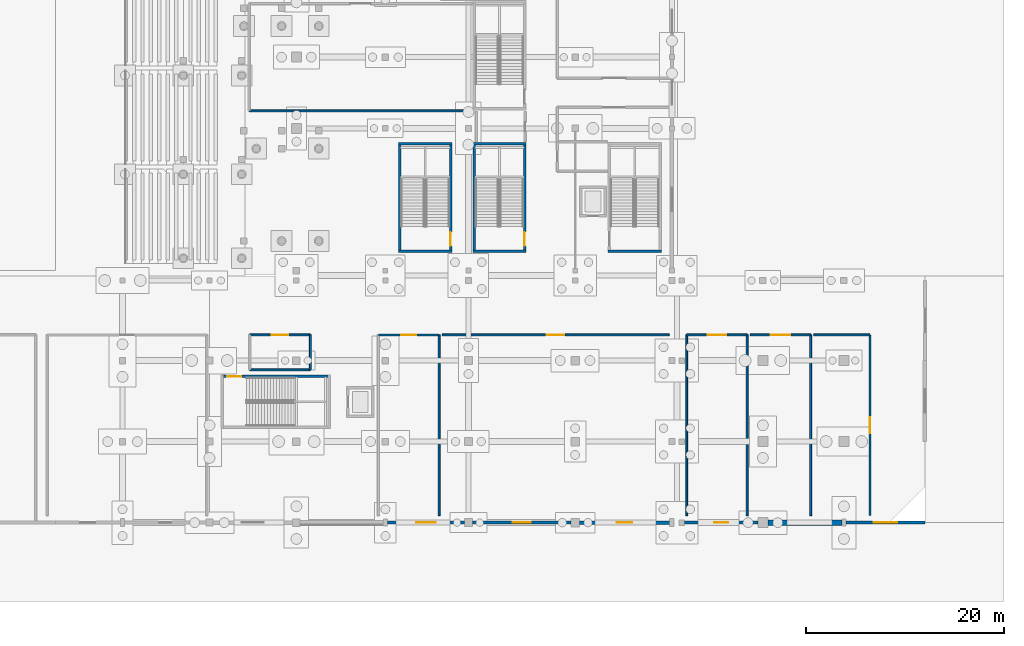
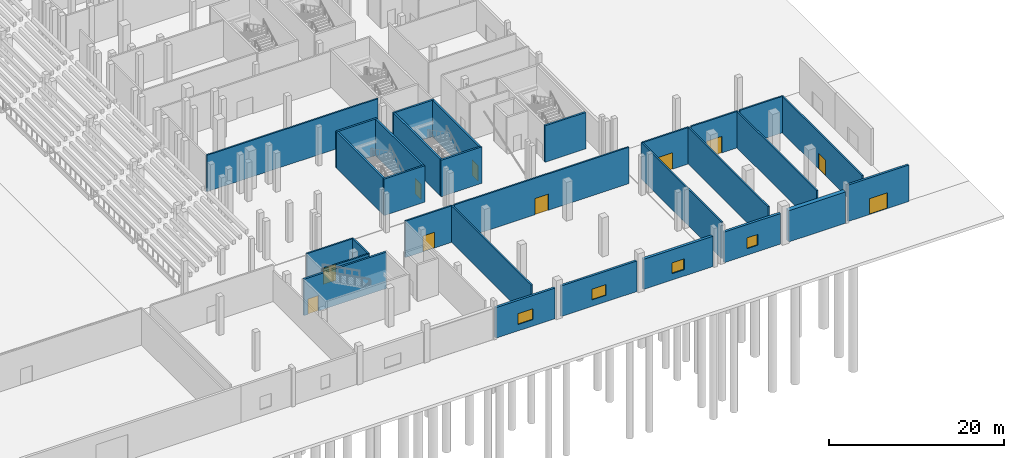
# One storey, part 41 of 89: 30 walls, 10 doors, 4 windows, 14 openings.
"""IFC4 building model written with IfcOpenShell, lengths in metres."""

import ifcopenshell
import ifcopenshell.guid

model = None  # the IFC model being written
_history = None  # IfcOwnerHistory: only IFC2X3 demands one
_inside = {}  # id of a spatial element -> (the spatial element, [elements in it])
_under = {}  # id of a project, library or spatial element -> (it, [spatial elements below it])
_declared = {}  # id of a project -> (the project, [libraries it declares])
_typed = {}  # id of a type object -> (the type object, [elements of that type])
_made_of = {}  # id of a material, layer set ... -> (it, [elements and type objects made of it])


def new_model(schema):
    """Start an empty IFC model of exactly this schema.

    Asked for "IFC4X3", IfcOpenShell would pick the latest addendum, in which some entities
    have other attributes; the version numbers below select the first issue.
    IFC2X3 requires an IfcOwnerHistory on every rooted entity: one is made here for all.
    """
    global model, _history
    if schema == "IFC4X3":
        model = ifcopenshell.file(schema_version=(4, 3, 0, 0))
    else:
        model = ifcopenshell.file(schema=schema)
    _inside.clear()
    _under.clear()
    _declared.clear()
    _typed.clear()
    _made_of.clear()
    _history = None
    if model.schema == "IFC2X3":
        org = make("IfcOrganization", Name="unknown")
        user = make(
            "IfcPersonAndOrganization",
            ThePerson=make("IfcPerson", FamilyName="unknown"),
            TheOrganization=org,
        )
        app = make(
            "IfcApplication",
            ApplicationDeveloper=org,
            Version="unknown",
            ApplicationFullName="unknown",
            ApplicationIdentifier="unknown",
        )
        _history = make(
            "IfcOwnerHistory",
            OwningUser=user,
            OwningApplication=app,
            ChangeAction="ADDED",
            CreationDate=0,
        )
    return model


def make(cls, **values):
    """One entity of the class cls with the attributes given. An attribute that is None is left unset."""
    return model.create_entity(
        cls, **{name: value for name, value in values.items() if value is not None}
    )


def rooted(cls, **values):
    """An entity with a GlobalId (a new one), such as an element, a storey or a relation."""
    return make(cls, GlobalId=ifcopenshell.guid.new(), OwnerHistory=_history, **values)


def si_unit(unit_type, name, prefix=None):
    """IfcSIUnit, for example si_unit("LENGTHUNIT", "METRE", prefix="MILLI")."""
    return make("IfcSIUnit", UnitType=unit_type, Prefix=prefix, Name=name)


def assignment(units):
    """IfcUnitAssignment: the units of a project."""
    return None if units is None else make("IfcUnitAssignment", Units=units)


def point(xyz):
    """IfcCartesianPoint."""
    return None if xyz is None else make("IfcCartesianPoint", Coordinates=xyz)


def direction(xyz):
    """IfcDirection."""
    return None if xyz is None else make("IfcDirection", DirectionRatios=xyz)


def frame(location, z_axis=None, x_axis=None):
    """IfcAxis2Placement3D, a coordinate frame: its origin and axes. An axis left out is left unset."""
    return make(
        "IfcAxis2Placement3D",
        Location=point(location),
        Axis=direction(z_axis),
        RefDirection=direction(x_axis),
    )


def frame_2d(location, x_axis=None):
    """IfcAxis2Placement2D, a coordinate frame in the plane: its origin and x axis."""
    return make(
        "IfcAxis2Placement2D", Location=point(location), RefDirection=direction(x_axis)
    )


def origin():
    """The frame at (0, 0, 0) with its axes left unset."""
    return frame((0.0, 0.0, 0.0))


def place(relative_to, where):
    """IfcLocalPlacement: puts the frame where relative to a parent placement (None: the world)."""
    return make(
        "IfcLocalPlacement", PlacementRelTo=relative_to, RelativePlacement=where
    )


def context(
    kind, dimensions, precision=None, world=None, true_north=None, identifier=None
):
    """IfcGeometricRepresentationContext, for example the 3D "Model" context."""
    return make(
        "IfcGeometricRepresentationContext",
        ContextIdentifier=identifier,
        ContextType=kind,
        CoordinateSpaceDimension=dimensions,
        Precision=precision,
        WorldCoordinateSystem=world,
        TrueNorth=true_north,
    )


def subcontext(parent, identifier, kind, view, scale=None):
    """IfcGeometricRepresentationSubContext, for example "Body" below "Model"."""
    return make(
        "IfcGeometricRepresentationSubContext",
        ContextIdentifier=identifier,
        ContextType=kind,
        ParentContext=parent,
        TargetScale=scale,
        TargetView=view,
    )


def project(units=None, contexts=None):
    """IfcProject with its units and contexts."""
    return rooted(
        "IfcProject",
        Name="project",
        RepresentationContexts=contexts,
        UnitsInContext=assignment(units),
    )


def spatial(cls, under=None, at=None, **own):
    """A site, building, storey or space (cls), placed at a placement, below another one or the project."""
    s = rooted(cls, ObjectPlacement=at, **own)
    if under is not None:
        _under.setdefault(under.id(), (under, []))[1].append(s)
    return s


def profile(cls, at=None, kind="AREA", **sizes):
    """A parametric profile (cls). Its sizes go by their IFC names, for example OverallWidth=200.0."""
    return make(cls, ProfileType=kind, Position=at, **sizes)


def rectangle(**sizes):
    """IfcRectangleProfileDef."""
    return profile("IfcRectangleProfileDef", **sizes)


def extrude(swept, where, along, depth):
    """IfcExtrudedAreaSolid: the profile swept, set in the frame where, extruded along a direction by depth."""
    return make(
        "IfcExtrudedAreaSolid",
        SweptArea=swept,
        Position=where,
        ExtrudedDirection=direction(along),
        Depth=depth,
    )


def shape(context_of_items, identifier, shape_type, items):
    """IfcShapeRepresentation: the items that make up one representation, for example the "Body"."""
    return make(
        "IfcShapeRepresentation",
        ContextOfItems=context_of_items,
        RepresentationIdentifier=identifier,
        RepresentationType=shape_type,
        Items=items,
    )


def material(Name=None, Category=None):
    """IfcMaterial."""
    return make("IfcMaterial", Name=Name, Category=Category)


def layer(
    of_material, thickness, ventilated=None, Name=None, Category=None, Priority=None
):
    """IfcMaterialLayer: one layer of a wall or slab, of a material (None: an air gap)."""
    return make(
        "IfcMaterialLayer",
        Material=of_material,
        LayerThickness=thickness,
        IsVentilated=ventilated,
        Name=Name,
        Category=Category,
        Priority=Priority,
    )


def layer_set(layers, Name=None):
    """IfcMaterialLayerSet."""
    return make("IfcMaterialLayerSet", MaterialLayers=layers, LayerSetName=Name)


def made_of(thing, what):
    """Note that an element or type object is made of a material, layer set ...; save() writes the relation."""
    if what is not None:
        _made_of.setdefault(what.id(), (what, []))[1].append(thing)
    return thing


def type_object(cls, material=None, **own):
    """A type object (cls), such as IfcWallType, which elements share."""
    return made_of(rooted(cls, **own), material)


def element(
    cls,
    number,
    at=None,
    inside=None,
    cuts=None,
    type_object=None,
    material=None,
    context=None,
    identifier="Body",
    shape_type=None,
    held_by="IfcProductDefinitionShape",
    body=None,
    shapes=None,
    **own,
):
    """One element of the class cls, such as IfcWall. Its Tag is "e" and its number.

    at: its placement. inside: the storey or other place that contains it. cuts: it is an
    opening in that element (IfcRelVoidsElement). A single representation is given by context,
    identifier, shape_type and body (its items); several are given by shapes. held_by: the class
    of the entity that holds the representations. save() writes the other relations.
    """
    e = rooted(cls, Tag="e%d" % number, ObjectPlacement=at, **own)
    if body is not None:
        shapes = [shape(context, identifier, shape_type, body)]
    if shapes is not None:
        e.Representation = make(held_by, Representations=shapes)
    if inside is not None:
        _inside.setdefault(inside.id(), (inside, []))[1].append(e)
    if cuts is not None:
        rooted(
            "IfcRelVoidsElement", RelatingBuildingElement=cuts, RelatedOpeningElement=e
        )
    if type_object is not None:
        _typed.setdefault(type_object.id(), (type_object, []))[1].append(e)
    return made_of(e, material)


def fill(opening, filler):
    """IfcRelFillsElement: the door or window that sits in an opening."""
    return rooted(
        "IfcRelFillsElement",
        RelatingOpeningElement=opening,
        RelatedBuildingElement=filler,
    )


def aggregate(whole, parts):
    """IfcRelAggregates: a whole, such as a stair, and the parts it consists of."""
    return rooted("IfcRelAggregates", RelatingObject=whole, RelatedObjects=parts)


def save(model, path):
    """Write the relations noted so far, then the file.

    IfcRelAggregates (storeys below a building ...), IfcRelContainedInSpatialStructure (elements
    in a storey), IfcRelDefinesByType, IfcRelAssociatesMaterial and IfcRelDeclares: one each for
    every whole, place, type object, material and project.
    """
    for whole, parts in _under.values():
        aggregate(whole, parts)
    for where, things in _inside.values():
        rooted(
            "IfcRelContainedInSpatialStructure",
            RelatedElements=things,
            RelatingStructure=where,
        )
    for kind, things in _typed.values():
        rooted("IfcRelDefinesByType", RelatedObjects=things, RelatingType=kind)
    for what, things in _made_of.values():
        rooted("IfcRelAssociatesMaterial", RelatedObjects=things, RelatingMaterial=what)
    for by, libraries in _declared.values():
        rooted("IfcRelDeclares", RelatingContext=by, RelatedDefinitions=libraries)
    model.write(path)


model = new_model("IFC4")

# Units and contexts
model_context = context("Model", 3, precision=1e-05, world=origin(), true_north=direction((0.0, 1.0)))
body_context = subcontext(model_context, "Body", "Model", "MODEL_VIEW")
ifc_project = project(units=[si_unit("LENGTHUNIT", "METRE"), si_unit("AREAUNIT", "SQUARE_METRE"), si_unit("VOLUMEUNIT", "CUBIC_METRE"), si_unit("PLANEANGLEUNIT", "RADIAN"), si_unit("MASSUNIT", "GRAM", prefix="KILO")], contexts=[model_context])

# Site, building, storey
site_placement = place(None, origin())
site = spatial("IfcSite", under=ifc_project, at=site_placement, CompositionType="ELEMENT")
building_placement = place(site_placement, origin())
building = spatial("IfcBuilding", under=site, at=building_placement, Name="Koshinbarg Plaza Stadium", CompositionType="ELEMENT")
storey_placement = place(building_placement, origin())
storey = spatial("IfcBuildingStorey", under=building, at=storey_placement, Name="L00", CompositionType="ELEMENT", Elevation=0.0)

# Wall
ifc_material_1 = material(Name="Concrete C40/50", Category="concrete")
ifc_layer_1 = layer(ifc_material_1, 0.25)
ifc_layer_set_1 = layer_set([ifc_layer_1], Name="Concrete C40/50")
wall_type_1 = type_object("IfcWallType", Name="WL-CORE-250", PredefinedType="SHEAR", material=ifc_layer_set_1)
wall_1_placement = place(storey_placement, frame((211.949951171875, 27.47509765625, 0.0), z_axis=(0.0, 0.0, 1.0), x_axis=(1.0, 0.0, 0.0)))
element("IfcWall", 1, at=wall_1_placement, inside=storey, type_object=wall_type_1, Name="L00 core stair shear wall C07-near IWL-L00-0162", PredefinedType="SHEAR", context=body_context, shape_type="SweptSolid", body=[
    extrude(rectangle(XDim=5.3701171875, YDim=0.25, at=frame_2d((2.68505859375, 0.0))), origin(), (0.0, 0.0, 1.0), 5.080078125),
])

# Wall, opening, door
wall_2_placement = place(storey_placement, frame((172.875, 14.794921875, 0.0), z_axis=(0.0, 0.0, 1.0), x_axis=(1.0, 0.0, 0.0)))
wall_2 = element("IfcWall", 2, at=wall_2_placement, inside=storey, type_object=wall_type_1, Name="L00 core stair shear wall C14-left IWL-L00-0312", PredefinedType="SHEAR", context=body_context, shape_type="SweptSolid", body=[
    extrude(rectangle(XDim=10.85009765625, YDim=0.25, at=frame_2d((5.425048828125, 0.0))), origin(), (0.0, 0.0, 1.0), 5.080078125),
])
opening_1_placement = place(wall_2_placement, frame((0.52001953125, 0.0, 0.0)))
opening_1 = element("IfcOpeningElement", 3, at=opening_1_placement, cuts=wall_2, Name="Opening D-0140", PredefinedType="OPENING", context=body_context, shape_type="SweptSolid", body=[
    extrude(rectangle(XDim=1.39990234375, YDim=2.14990234375, at=frame_2d((0.699951171875, 1.074951171875))), frame((0.0, 0.135009765625, 0.0), z_axis=(0.0, -1.0, 0.0), x_axis=(1.0, 0.0, 0.0)), (0.0, 0.0, 1.0), 0.27001953125),
])
ifc_material_2 = material(Name="Painted galvanized steel fire door", Category="steel")
door_type_1 = type_object("IfcDoorType", Name="DR-STAIR-1400", OperationType="NOTDEFINED", PredefinedType="DOOR", material=ifc_material_2)
door_1_placement = place(opening_1_placement, origin())
door_1 = element("IfcDoor", 4, at=door_1_placement, inside=storey, type_object=door_type_1, Name="L00 exit stair door C14", OperationType="SINGLE_SWING_LEFT", OverallHeight=2.14990234375, OverallWidth=1.39990234375, PredefinedType="DOOR", context=body_context, shape_type="SweptSolid", body=[
    extrude(rectangle(XDim=1.39990234375, YDim=2.14990234375, at=frame_2d((0.699951171875, 1.074951171875))), frame((0.0, 0.02490234375, 0.0), z_axis=(0.0, -1.0, 0.0), x_axis=(1.0, 0.0, 0.0)), (0.0, 0.0, 1.0), 0.050048828125),
])
fill(opening_1, door_1)

# Walls
for number, where, z_axis, x_axis, name in (
    (5, (198.25, 27.47509765625, 0.0), (0.0, 0.0, 1.0), (1.0, 0.0, 0.0), "L00 vomitory stair shear wall VX07-near IWL-L00-0450"),
    (6, (203.6201171875, 38.324951171875, 0.0), (0.0, 0.0, 1.0), (-1.0, 0.0, 0.0), "L00 vomitory stair shear wall VX07-far IWL-L00-0451"),
):
    element("IfcWall", number, at=place(storey_placement, frame(where, z_axis=z_axis, x_axis=x_axis)), inside=storey, type_object=wall_type_1, Name=name, PredefinedType="SHEAR", context=body_context, shape_type="SweptSolid", body=[
        extrude(rectangle(XDim=5.3701171875, YDim=0.25, at=frame_2d((2.68505859375, 0.0))), origin(), (0.0, 0.0, 1.0), 5.080078125),
    ])
wall_3_placement = place(storey_placement, frame((198.375, 27.47509765625, 0.0), z_axis=(0.0, 0.0, 1.0), x_axis=(0.0, 1.0, 0.0)))
element("IfcWall", 7, at=wall_3_placement, inside=storey, type_object=wall_type_1, Name="L00 vomitory stair shear wall VX07-left IWL-L00-0452", PredefinedType="SHEAR", context=body_context, shape_type="SweptSolid", body=[
    extrude(rectangle(XDim=10.849853515625, YDim=0.25, at=frame_2d((5.4248046875, 0.0))), origin(), (0.0, 0.0, 1.0), 5.080078125),
])

# Wall, opening, door
wall_4_placement = place(storey_placement, frame((203.4951171875, 27.47509765625, 0.0), z_axis=(0.0, 0.0, 1.0), x_axis=(0.0, 1.0, 0.0)))
wall_4 = element("IfcWall", 8, at=wall_4_placement, inside=storey, type_object=wall_type_1, Name="L00 vomitory stair shear wall VX07-right IWL-L00-0453", PredefinedType="SHEAR", context=body_context, shape_type="SweptSolid", body=[
    extrude(rectangle(XDim=10.849853515625, YDim=0.25, at=frame_2d((5.4248046875, 0.0))), origin(), (0.0, 0.0, 1.0), 5.080078125),
])
opening_2_placement = place(wall_4_placement, frame((0.52001953125, 0.0, 0.0)))
opening_2 = element("IfcOpeningElement", 9, at=opening_2_placement, cuts=wall_4, Name="Opening D-0175", PredefinedType="OPENING", context=body_context, shape_type="SweptSolid", body=[
    extrude(rectangle(XDim=1.39990234375, YDim=2.14990234375, at=frame_2d((0.699951171875, 1.074951171875))), frame((0.0, 0.135009765625, 0.0), z_axis=(0.0, -1.0, 0.0), x_axis=(1.0, 0.0, 0.0)), (0.0, 0.0, 1.0), 0.27001953125),
])
door_2_placement = place(opening_2_placement, frame((1.39990234375, 0.0, 0.0), z_axis=(0.0, 0.0, 1.0), x_axis=(-1.0, 0.0, 0.0)))
door_2 = element("IfcDoor", 10, at=door_2_placement, inside=storey, type_object=door_type_1, Name="L00 vomitory exit stair door VX07", OperationType="SINGLE_SWING_RIGHT", OverallHeight=2.14990234375, OverallWidth=1.39990234375, PredefinedType="DOOR", context=body_context, shape_type="SweptSolid", body=[
    extrude(rectangle(XDim=1.39990234375, YDim=2.14990234375, at=frame_2d((0.699951171875, 1.074951171875))), frame((0.0, 0.02490234375, 0.0), z_axis=(0.0, -1.0, 0.0), x_axis=(1.0, 0.0, 0.0)), (0.0, 0.0, 1.0), 0.050048828125),
])
fill(opening_2, door_2)

# Walls
for number, where, z_axis, x_axis, name in (
    (11, (190.75, 27.47509765625, 0.0), (0.0, 0.0, 1.0), (1.0, 0.0, 0.0), "L00 vomitory stair shear wall VL05-near IWL-L00-0578"),
    (12, (196.1201171875, 38.324951171875, 0.0), (0.0, 0.0, 1.0), (-1.0, 0.0, 0.0), "L00 vomitory stair shear wall VL05-far IWL-L00-0579"),
):
    element("IfcWall", number, at=place(storey_placement, frame(where, z_axis=z_axis, x_axis=x_axis)), inside=storey, type_object=wall_type_1, Name=name, PredefinedType="SHEAR", context=body_context, shape_type="SweptSolid", body=[
        extrude(rectangle(XDim=5.3701171875, YDim=0.25, at=frame_2d((2.68505859375, 0.0))), origin(), (0.0, 0.0, 1.0), 5.080078125),
    ])
wall_5_placement = place(storey_placement, frame((190.875, 27.47509765625, 0.0), z_axis=(0.0, 0.0, 1.0), x_axis=(0.0, 1.0, 0.0)))
element("IfcWall", 13, at=wall_5_placement, inside=storey, type_object=wall_type_1, Name="L00 vomitory stair shear wall VL05-left IWL-L00-0580", PredefinedType="SHEAR", context=body_context, shape_type="SweptSolid", body=[
    extrude(rectangle(XDim=10.849853515625, YDim=0.25, at=frame_2d((5.4248046875, 0.0))), origin(), (0.0, 0.0, 1.0), 5.080078125),
])

# Wall, opening, door
wall_6_placement = place(storey_placement, frame((195.9951171875, 27.47509765625, 0.0), z_axis=(0.0, 0.0, 1.0), x_axis=(0.0, 1.0, 0.0)))
wall_6 = element("IfcWall", 14, at=wall_6_placement, inside=storey, type_object=wall_type_1, Name="L00 vomitory stair shear wall VL05-right IWL-L00-0581", PredefinedType="SHEAR", context=body_context, shape_type="SweptSolid", body=[
    extrude(rectangle(XDim=10.849853515625, YDim=0.25, at=frame_2d((5.4248046875, 0.0))), origin(), (0.0, 0.0, 1.0), 5.080078125),
])
opening_3_placement = place(wall_6_placement, frame((0.52001953125, 0.0, 0.0)))
opening_3 = element("IfcOpeningElement", 15, at=opening_3_placement, cuts=wall_6, Name="Opening D-0207", PredefinedType="OPENING", context=body_context, shape_type="SweptSolid", body=[
    extrude(rectangle(XDim=1.39990234375, YDim=2.14990234375, at=frame_2d((0.699951171875, 1.074951171875))), frame((0.0, 0.135009765625, 0.0), z_axis=(0.0, -1.0, 0.0), x_axis=(1.0, 0.0, 0.0)), (0.0, 0.0, 1.0), 0.27001953125),
])
door_3_placement = place(opening_3_placement, frame((1.39990234375, 0.0, 0.0), z_axis=(0.0, 0.0, 1.0), x_axis=(-1.0, 0.0, 0.0)))
door_3 = element("IfcDoor", 16, at=door_3_placement, inside=storey, type_object=door_type_1, Name="L00 vomitory exit stair door VL05", OperationType="SINGLE_SWING_RIGHT", OverallHeight=2.14990234375, OverallWidth=1.39990234375, PredefinedType="DOOR", context=body_context, shape_type="SweptSolid", body=[
    extrude(rectangle(XDim=1.39990234375, YDim=2.14990234375, at=frame_2d((0.699951171875, 1.074951171875))), frame((0.0, 0.02490234375, 0.0), z_axis=(0.0, -1.0, 0.0), x_axis=(1.0, 0.0, 0.0)), (0.0, 0.0, 1.0), 0.050048828125),
])
fill(opening_3, door_3)

ifc_material_3 = material(Name="Terracotta-ochre mineral plaster insulated wall", Category="masonry")
ifc_layer_2 = layer(ifc_material_3, 0.280029296875)
ifc_layer_set_2 = layer_set([ifc_layer_2], Name="Terracotta-ochre mineral plaster insulated wall")
wall_type_2 = type_object("IfcWallType", Name="WL-EXT-280", PredefinedType="SOLIDWALL", material=ifc_layer_set_2)
wall_7_placement = place(storey_placement, frame((244.0, 0.0, 0.0), z_axis=(0.0, 0.0, 1.0), x_axis=(-1.0, 0.0, 0.0)))
wall_7 = element("IfcWall", 17, at=wall_7_placement, inside=storey, type_object=wall_type_2, Name="L00 exterior envelope wall EWL-L00-0052", PredefinedType="SOLIDWALL", context=body_context, shape_type="SweptSolid", body=[
    extrude(rectangle(XDim=8.0048828125, YDim=0.280029296875, at=frame_2d((4.00244140625, 0.0))), origin(), (0.0, 0.0, 1.0), 5.080078125),
])
opening_4_placement = place(wall_7_placement, frame((2.802490234375, 0.0, 0.0)))
opening_4 = element("IfcOpeningElement", 18, at=opening_4_placement, cuts=wall_7, Name="Opening D-0053", PredefinedType="OPENING", context=body_context, shape_type="SweptSolid", body=[
    extrude(rectangle(XDim=2.39990234375, YDim=2.199951171875, at=frame_2d((1.199951171875, 1.10009765625))), frame((0.0, 0.14990234375, 0.0), z_axis=(0.0, -1.0, 0.0), x_axis=(1.0, 0.0, 0.0)), (0.0, 0.0, 1.0), 0.300048828125),
])
ifc_material_4 = material(Name="Anodised aluminium thermally broken exit door", Category="aluminium")
door_type_2 = type_object("IfcDoorType", Name="DR-EXIT-2400", OperationType="NOTDEFINED", PredefinedType="DOOR", material=ifc_material_4)
door_4_placement = place(opening_4_placement, origin())
door_4 = element("IfcDoor", 19, at=door_4_placement, inside=storey, type_object=door_type_2, Name="Main exit E52", OperationType="DOUBLE_DOOR_SINGLE_SWING", OverallHeight=2.199951171875, OverallWidth=2.39990234375, PredefinedType="DOOR", context=body_context, shape_type="SweptSolid", body=[
    extrude(rectangle(XDim=2.39990234375, YDim=2.199951171875, at=frame_2d((1.199951171875, 1.10009765625))), frame((0.0, 0.02490234375, 0.0), z_axis=(0.0, -1.0, 0.0), x_axis=(1.0, 0.0, 0.0)), (0.0, 0.0, 1.0), 0.050048828125),
])
fill(opening_4, door_4)

# Wall, opening, window
wall_8_placement = place(storey_placement, frame((208.179931640625, 0.0, 0.0), z_axis=(0.0, 0.0, 1.0), x_axis=(-1.0, 0.0, 0.0)))
wall_8 = element("IfcWall", 20, at=wall_8_placement, inside=storey, type_object=wall_type_2, Name="L00 exterior envelope wall EWL-L00-0056", PredefinedType="SOLIDWALL", context=body_context, shape_type="SweptSolid", body=[
    extrude(rectangle(XDim=9.98486328125, YDim=0.280029296875, at=frame_2d((4.992431640625, 0.0))), origin(), (0.0, 0.0, 1.0), 4.260009765625),
])
opening_5_placement = place(wall_8_placement, frame((4.092529296875, 0.0, 0.89990234375)))
opening_5 = element("IfcOpeningElement", 21, at=opening_5_placement, cuts=wall_8, Name="Opening WN04", PredefinedType="OPENING", context=body_context, shape_type="SweptSolid", body=[
    extrude(rectangle(XDim=1.800048828125, YDim=1.5, at=frame_2d((0.89990234375, 0.75))), frame((0.0, 0.14990234375, 0.0), z_axis=(0.0, -1.0, 0.0), x_axis=(1.0, 0.0, 0.0)), (0.0, 0.0, 1.0), 0.300048828125),
])
ifc_material_5 = material(Name="Solar-control double glazing in thermally broken aluminium frame", Category="aluminium")
window_type_1 = type_object("IfcWindowType", Name="WN-FAC-04", PartitioningType="DOUBLE_PANEL_VERTICAL", PredefinedType="WINDOW", material=ifc_material_5)
window_1_placement = place(opening_5_placement, origin())
window_1 = element("IfcWindow", 22, at=window_1_placement, inside=storey, type_object=window_type_1, Name="L00 facade window 0003", OverallHeight=1.5, OverallWidth=1.800048828125, PartitioningType="SINGLE_PANEL", PredefinedType="WINDOW", context=body_context, shape_type="SweptSolid", body=[
    extrude(rectangle(XDim=1.800048828125, YDim=1.5, at=frame_2d((0.89990234375, 0.75))), frame((0.0, 0.030029296875, 0.0), z_axis=(0.0, -1.0, 0.0), x_axis=(1.0, 0.0, 0.0)), (0.0, 0.0, 1.0), 0.06005859375),
])
fill(opening_5, window_1)

ifc_material_6 = material(Name="Off-white mineral plaster insulated wall", Category="masonry")
ifc_layer_3 = layer(ifc_material_6, 0.300048828125)
ifc_layer_set_3 = layer_set([ifc_layer_3], Name="Off-white mineral plaster insulated wall")
wall_type_3 = type_object("IfcWallType", Name="WL-EXT-300", PredefinedType="SOLIDWALL", material=ifc_layer_set_3)
wall_9_placement = place(storey_placement, frame((197.405029296875, 0.0, 0.0), z_axis=(0.0, 0.0, 1.0), x_axis=(-1.0, 0.0, 0.0)))
wall_9 = element("IfcWall", 23, at=wall_9_placement, inside=storey, type_object=wall_type_3, Name="L00 exterior envelope wall EWL-L00-0057", PredefinedType="SOLIDWALL", context=body_context, shape_type="SweptSolid", body=[
    extrude(rectangle(XDim=7.81005859375, YDim=0.300048828125, at=frame_2d((3.905029296875, 0.0))), origin(), (0.0, 0.0, 1.0), 4.260009765625),
])
opening_6_placement = place(wall_9_placement, frame((2.905029296875, 0.0, 0.89990234375)))
opening_6 = element("IfcOpeningElement", 24, at=opening_6_placement, cuts=wall_9, Name="Opening WN05", PredefinedType="OPENING", context=body_context, shape_type="SweptSolid", body=[
    extrude(rectangle(XDim=2.0, YDim=1.5, at=frame_2d((1.0, 0.75))), frame((0.0, 0.159912109375, 0.0), z_axis=(0.0, -1.0, 0.0), x_axis=(1.0, 0.0, 0.0)), (0.0, 0.0, 1.0), 0.320068359375),
])
window_type_2 = type_object("IfcWindowType", Name="WN-FAC-05", PartitioningType="DOUBLE_PANEL_VERTICAL", PredefinedType="WINDOW", material=ifc_material_5)
window_2_placement = place(opening_6_placement, origin())
window_2 = element("IfcWindow", 25, at=window_2_placement, inside=storey, type_object=window_type_2, Name="L00 facade window 0004", OverallHeight=1.5, OverallWidth=2.0, PartitioningType="SINGLE_PANEL", PredefinedType="WINDOW", context=body_context, shape_type="SweptSolid", body=[
    extrude(rectangle(XDim=2.0, YDim=1.5, at=frame_2d((1.0, 0.75))), frame((0.0, 0.030029296875, 0.0), z_axis=(0.0, -1.0, 0.0), x_axis=(1.0, 0.0, 0.0)), (0.0, 0.0, 1.0), 0.06005859375),
])
fill(opening_6, window_2)

ifc_material_7 = material(Name="Ultramarine-blue pigmented mineral plaster facade wall", Category="masonry")
ifc_layer_4 = layer(ifc_material_7, 0.320068359375)
ifc_layer_set_4 = layer_set([ifc_layer_4], Name="Ultramarine-blue pigmented mineral plaster facade wall")
wall_type_4 = type_object("IfcWallType", Name="WL-EXT-320", PredefinedType="SOLIDWALL", material=ifc_layer_set_4)
wall_10_placement = place(storey_placement, frame((227.10498046875, 0.0, 0.0), z_axis=(0.0, 0.0, 1.0), x_axis=(-1.0, 0.0, 0.0)))
wall_10 = element("IfcWall", 26, at=wall_10_placement, inside=storey, type_object=wall_type_4, Name="L00 exterior envelope wall EWL-L00-0054", PredefinedType="SOLIDWALL", context=body_context, shape_type="SweptSolid", body=[
    extrude(rectangle(XDim=7.43505859375, YDim=0.320068359375, at=frame_2d((3.717529296875, 0.0))), origin(), (0.0, 0.0, 1.0), 4.260009765625),
])
opening_7_placement = place(wall_10_placement, frame((3.017578125, 0.0, 0.89990234375)))
opening_7 = element("IfcOpeningElement", 27, at=opening_7_placement, cuts=wall_10, Name="Opening WN02", PredefinedType="OPENING", context=body_context, shape_type="SweptSolid", body=[
    extrude(rectangle(XDim=1.39990234375, YDim=1.5, at=frame_2d((0.699951171875, 0.75))), frame((0.0, 0.169921875, 0.0), z_axis=(0.0, -1.0, 0.0), x_axis=(1.0, 0.0, 0.0)), (0.0, 0.0, 1.0), 0.340087890625),
])
window_type_3 = type_object("IfcWindowType", Name="WN-FAC-02", PartitioningType="DOUBLE_PANEL_VERTICAL", PredefinedType="WINDOW", material=ifc_material_5)
window_3_placement = place(opening_7_placement, origin())
window_3 = element("IfcWindow", 28, at=window_3_placement, inside=storey, type_object=window_type_3, Name="L00 facade window 0001", OverallHeight=1.5, OverallWidth=1.39990234375, PartitioningType="SINGLE_PANEL", PredefinedType="WINDOW", context=body_context, shape_type="SweptSolid", body=[
    extrude(rectangle(XDim=1.39990234375, YDim=1.5, at=frame_2d((0.699951171875, 0.75))), frame((0.0, 0.030029296875, 0.0), z_axis=(0.0, -1.0, 0.0), x_axis=(1.0, 0.0, 0.0)), (0.0, 0.0, 1.0), 0.06005859375),
])
fill(opening_7, window_3)

ifc_material_8 = material(Name="Acoustic insulated masonry stadium wall", Category="masonry")
ifc_layer_5 = layer(ifc_material_8, 0.35009765625)
ifc_layer_set_5 = layer_set([ifc_layer_5], Name="Acoustic insulated masonry stadium wall")
wall_type_5 = type_object("IfcWallType", Name="WL-EXT-350", PredefinedType="SOLIDWALL", material=ifc_layer_set_5)
wall_11_placement = place(storey_placement, frame((218.179931640625, 0.0, 0.0), z_axis=(0.0, 0.0, 1.0), x_axis=(-1.0, 0.0, 0.0)))
wall_11 = element("IfcWall", 29, at=wall_11_placement, inside=storey, type_object=wall_type_5, Name="L00 exterior envelope wall EWL-L00-0055", PredefinedType="SOLIDWALL", context=body_context, shape_type="SweptSolid", body=[
    extrude(rectangle(XDim=9.159912109375, YDim=0.35009765625, at=frame_2d((4.580078125, 0.0))), origin(), (0.0, 0.0, 1.0), 4.2099609375),
])
opening_8_placement = place(wall_11_placement, frame((3.780029296875, 0.0, 0.89990234375)))
opening_8 = element("IfcOpeningElement", 30, at=opening_8_placement, cuts=wall_11, Name="Opening WN03", PredefinedType="OPENING", context=body_context, shape_type="SweptSolid", body=[
    extrude(rectangle(XDim=1.60009765625, YDim=1.5, at=frame_2d((0.800048828125, 0.75))), frame((0.0, 0.18505859375, 0.0), z_axis=(0.0, -1.0, 0.0), x_axis=(1.0, 0.0, 0.0)), (0.0, 0.0, 1.0), 0.3701171875),
])
window_type_4 = type_object("IfcWindowType", Name="WN-FAC-03", PartitioningType="DOUBLE_PANEL_VERTICAL", PredefinedType="WINDOW", material=ifc_material_5)
window_4_placement = place(opening_8_placement, origin())
window_4 = element("IfcWindow", 31, at=window_4_placement, inside=storey, type_object=window_type_4, Name="L00 facade window 0002", OverallHeight=1.5, OverallWidth=1.60009765625, PartitioningType="SINGLE_PANEL", PredefinedType="WINDOW", context=body_context, shape_type="SweptSolid", body=[
    extrude(rectangle(XDim=1.60009765625, YDim=1.5, at=frame_2d((0.800048828125, 0.75))), frame((0.0, 0.030029296875, 0.0), z_axis=(0.0, -1.0, 0.0), x_axis=(1.0, 0.0, 0.0)), (0.0, 0.0, 1.0), 0.06005859375),
])
fill(opening_8, window_4)

# Walls
ifc_material_9 = material(Name="Autoclaved aerated blockwork fire partition", Category="masonry")
ifc_layer_6 = layer(ifc_material_9, 0.199951171875)
ifc_layer_set_6 = layer_set([ifc_layer_6], Name="Autoclaved aerated blockwork fire partition")
wall_type_6 = type_object("IfcWallType", Name="WL-PART-200", PredefinedType="PARTITIONING", material=ifc_layer_set_6)
wall_12_placement = place(storey_placement, frame((175.60009765625, 41.669921875, 0.0), z_axis=(0.0, 0.0, 1.0), x_axis=(1.0, 0.0, 0.0)))
element("IfcWall", 32, at=wall_12_placement, inside=storey, type_object=wall_type_6, Name="L00 interior partition L00-95-south IWL-L00-1129", PredefinedType="PARTITIONING", context=body_context, shape_type="SweptSolid", body=[
    extrude(rectangle(XDim=22.56982421875, YDim=0.199951171875, at=frame_2d((11.284912109375, 0.0))), origin(), (0.0, 0.0, 1.0), 5.080078125),
])
wall_13_placement = place(storey_placement, frame((194.83740234375, 0.699951171875, 0.0), z_axis=(0.0, 0.0, 1.0), x_axis=(0.0, 1.0, 0.0)))
element("IfcWall", 33, at=wall_13_placement, inside=storey, type_object=wall_type_6, Name="L00 interior partition L00-141-east IWL-L00-1254", PredefinedType="PARTITIONING", context=body_context, shape_type="SweptSolid", body=[
    extrude(rectangle(XDim=18.300048828125, YDim=0.199951171875, at=frame_2d((9.14990234375, 0.0))), origin(), (0.0, 0.0, 1.0), 5.080078125),
])

# Wall, opening, door
wall_14_placement = place(storey_placement, frame((194.83740234375, 19.0, 0.0), z_axis=(0.0, 0.0, 1.0), x_axis=(-1.0, 0.0, 0.0)))
wall_14 = element("IfcWall", 34, at=wall_14_placement, inside=storey, type_object=wall_type_6, Name="L00 interior partition L00-141-north IWL-L00-1255", PredefinedType="PARTITIONING", context=body_context, shape_type="SweptSolid", body=[
    extrude(rectangle(XDim=6.157470703125, YDim=0.199951171875, at=frame_2d((3.07861328125, 0.0))), origin(), (0.0, 0.0, 1.0), 5.080078125),
])
opening_9_placement = place(wall_14_placement, frame((2.3037109375, 0.0, 0.0)))
opening_9 = element("IfcOpeningElement", 35, at=opening_9_placement, cuts=wall_14, Name="Opening D-0410", PredefinedType="OPENING", context=body_context, shape_type="SweptSolid", body=[
    extrude(rectangle(XDim=1.550048828125, YDim=2.199951171875, at=frame_2d((0.77490234375, 1.10009765625))), frame((0.0, 0.10986328125, 0.0), z_axis=(0.0, -1.0, 0.0), x_axis=(1.0, 0.0, 0.0)), (0.0, 0.0, 1.0), 0.219970703125),
])
ifc_material_10 = material(Name="Toughened laminated glass in aluminium frame", Category="aluminium")
door_type_3 = type_object("IfcDoorType", Name="DR-INT-1550x2200", OperationType="NOTDEFINED", PredefinedType="DOOR", material=ifc_material_10)
door_5_placement = place(opening_9_placement, origin())
door_5 = element("IfcDoor", 36, at=door_5_placement, inside=storey, type_object=door_type_3, Name="L00 Visiting Athlete Changing Suite door D-0410", OperationType="DOUBLE_DOOR_SINGLE_SWING", OverallHeight=2.199951171875, OverallWidth=1.550048828125, PredefinedType="DOOR", context=body_context, shape_type="SweptSolid", body=[
    extrude(rectangle(XDim=1.550048828125, YDim=2.199951171875, at=frame_2d((0.77490234375, 1.10009765625))), frame((0.0, 0.02490234375, 0.0), z_axis=(0.0, -1.0, 0.0), x_axis=(1.0, 0.0, 0.0)), (0.0, 0.0, 1.0), 0.050048828125),
])
fill(opening_9, door_5)

# Walls
wall_15_placement = place(storey_placement, frame((175.679931640625, 15.449951171875, 0.0), z_axis=(0.0, 0.0, 1.0), x_axis=(1.0, 0.0, 0.0)))
element("IfcWall", 37, at=wall_15_placement, inside=storey, type_object=wall_type_6, Name="L00 interior partition L00-142-south IWL-L00-1257", PredefinedType="PARTITIONING", context=body_context, shape_type="SweptSolid", body=[
    extrude(rectangle(XDim=6.14013671875, YDim=0.199951171875, at=frame_2d((3.070068359375, 0.0))), origin(), (0.0, 0.0, 1.0), 5.080078125),
])
wall_16_placement = place(storey_placement, frame((181.820068359375, 15.449951171875, 0.0), z_axis=(0.0, 0.0, 1.0), x_axis=(0.0, 1.0, 0.0)))
element("IfcWall", 38, at=wall_16_placement, inside=storey, type_object=wall_type_6, Name="L00 interior partition L00-142-east IWL-L00-1258", PredefinedType="PARTITIONING", context=body_context, shape_type="SweptSolid", body=[
    extrude(rectangle(XDim=3.550048828125, YDim=0.199951171875, at=frame_2d((1.77490234375, 0.0))), origin(), (0.0, 0.0, 1.0), 5.080078125),
])

# Wall, opening, door
wall_17_placement = place(storey_placement, frame((181.820068359375, 19.0, 0.0), z_axis=(0.0, 0.0, 1.0), x_axis=(-1.0, 0.0, 0.0)))
wall_17 = element("IfcWall", 39, at=wall_17_placement, inside=storey, type_object=wall_type_6, Name="L00 interior partition L00-142-north IWL-L00-1259", PredefinedType="PARTITIONING", context=body_context, shape_type="SweptSolid", body=[
    extrude(rectangle(XDim=6.14013671875, YDim=0.199951171875, at=frame_2d((3.070068359375, 0.0))), origin(), (0.0, 0.0, 1.0), 5.080078125),
])
opening_10_placement = place(wall_17_placement, frame((2.22998046875, 0.0, 0.0)))
opening_10 = element("IfcOpeningElement", 40, at=opening_10_placement, cuts=wall_17, Name="Opening D-0411", PredefinedType="OPENING", context=body_context, shape_type="SweptSolid", body=[
    extrude(rectangle(XDim=1.679931640625, YDim=2.25, at=frame_2d((0.83984375, 1.125))), frame((0.0, 0.10986328125, 0.0), z_axis=(0.0, -1.0, 0.0), x_axis=(1.0, 0.0, 0.0)), (0.0, 0.0, 1.0), 0.219970703125),
])
ifc_material_11 = material(Name="Powder-coated aluminium double glazed door", Category="aluminium")
door_type_4 = type_object("IfcDoorType", Name="DR-INT-1680x2250", OperationType="NOTDEFINED", PredefinedType="DOOR", material=ifc_material_11)
door_6_placement = place(opening_10_placement, origin())
door_6 = element("IfcDoor", 41, at=door_6_placement, inside=storey, type_object=door_type_4, Name="L00 Indoor Athlete Warmup Hall door D-0411", OperationType="DOUBLE_DOOR_SINGLE_SWING", OverallHeight=2.25, OverallWidth=1.679931640625, PredefinedType="DOOR", context=body_context, shape_type="SweptSolid", body=[
    extrude(rectangle(XDim=1.679931640625, YDim=2.25, at=frame_2d((0.83984375, 1.125))), frame((0.0, 0.02490234375, 0.0), z_axis=(0.0, -1.0, 0.0), x_axis=(1.0, 0.0, 0.0)), (0.0, 0.0, 1.0), 0.050048828125),
])
fill(opening_10, door_6)

wall_18_placement = place(storey_placement, frame((218.10498046875, 19.0, 0.0), z_axis=(0.0, 0.0, 1.0), x_axis=(-1.0, 0.0, 0.0)))
wall_18 = element("IfcWall", 42, at=wall_18_placement, inside=storey, type_object=wall_type_6, Name="L00 interior partition L00-143-north IWL-L00-1261", PredefinedType="PARTITIONING", context=body_context, shape_type="SweptSolid", body=[
    extrude(rectangle(XDim=22.967529296875, YDim=0.199951171875, at=frame_2d((11.48388671875, 0.0))), origin(), (0.0, 0.0, 1.0), 5.080078125),
])
opening_11_placement = place(wall_18_placement, frame((10.603759765625, 0.0, 0.0)))
opening_11 = element("IfcOpeningElement", 43, at=opening_11_placement, cuts=wall_18, Name="Opening D-0412", PredefinedType="OPENING", context=body_context, shape_type="SweptSolid", body=[
    extrude(rectangle(XDim=1.760009765625, YDim=2.25, at=frame_2d((0.8798828125, 1.125))), frame((0.0, 0.10986328125, 0.0), z_axis=(0.0, -1.0, 0.0), x_axis=(1.0, 0.0, 0.0)), (0.0, 0.0, 1.0), 0.219970703125),
])
ifc_material_12 = material(Name="Solid-core oak veneer double swing door")
door_type_5 = type_object("IfcDoorType", Name="DR-INT-1760x2250", OperationType="NOTDEFINED", PredefinedType="DOOR", material=ifc_material_12)
door_7_placement = place(opening_11_placement, origin())
door_7 = element("IfcDoor", 44, at=door_7_placement, inside=storey, type_object=door_type_5, Name="L00 Indoor Athlete Warmup Hall door D-0412", OperationType="DOUBLE_DOOR_SINGLE_SWING", OverallHeight=2.25, OverallWidth=1.760009765625, PredefinedType="DOOR", context=body_context, shape_type="SweptSolid", body=[
    extrude(rectangle(XDim=1.760009765625, YDim=2.25, at=frame_2d((0.8798828125, 1.125))), frame((0.0, 0.02490234375, 0.0), z_axis=(0.0, -1.0, 0.0), x_axis=(1.0, 0.0, 0.0)), (0.0, 0.0, 1.0), 0.050048828125),
])
fill(opening_11, door_7)

# Wall
wall_19_placement = place(storey_placement, frame((226.01318359375, 0.699951171875, 0.0), z_axis=(0.0, 0.0, 1.0), x_axis=(0.0, 1.0, 0.0)))
element("IfcWall", 45, at=wall_19_placement, inside=storey, type_object=wall_type_6, Name="L00 interior partition L00-144-east IWL-L00-1262", PredefinedType="PARTITIONING", context=body_context, shape_type="SweptSolid", body=[
    extrude(rectangle(XDim=18.300048828125, YDim=0.199951171875, at=frame_2d((9.14990234375, 0.0))), origin(), (0.0, 0.0, 1.0), 5.080078125),
])

# Wall, opening, door
wall_20_placement = place(storey_placement, frame((226.01318359375, 19.0, 0.0), z_axis=(0.0, 0.0, 1.0), x_axis=(-1.0, 0.0, 0.0)))
wall_20 = element("IfcWall", 46, at=wall_20_placement, inside=storey, type_object=wall_type_6, Name="L00 interior partition L00-144-north IWL-L00-1263", PredefinedType="PARTITIONING", context=body_context, shape_type="SweptSolid", body=[
    extrude(rectangle(XDim=6.1181640625, YDim=0.199951171875, at=frame_2d((3.05908203125, 0.0))), origin(), (0.0, 0.0, 1.0), 5.080078125),
])
opening_12_placement = place(wall_20_placement, frame((2.129150390625, 0.0, 0.0)))
opening_12 = element("IfcOpeningElement", 47, at=opening_12_placement, cuts=wall_20, Name="Opening D-0413", PredefinedType="OPENING", context=body_context, shape_type="SweptSolid", body=[
    extrude(rectangle(XDim=1.860107421875, YDim=2.300048828125, at=frame_2d((0.93017578125, 1.14990234375))), frame((0.0, 0.10986328125, 0.0), z_axis=(0.0, -1.0, 0.0), x_axis=(1.0, 0.0, 0.0)), (0.0, 0.0, 1.0), 0.219970703125),
])
ifc_material_13 = material(Name="Acoustic solid-core walnut veneer fire door")
door_type_6 = type_object("IfcDoorType", Name="DR-INT-1860x2300", OperationType="NOTDEFINED", PredefinedType="DOOR", material=ifc_material_13)
door_8_placement = place(opening_12_placement, origin())
door_8 = element("IfcDoor", 48, at=door_8_placement, inside=storey, type_object=door_type_6, Name="L00 Indoor Athlete Warmup Hall door D-0413", OperationType="DOUBLE_DOOR_SINGLE_SWING", OverallHeight=2.300048828125, OverallWidth=1.860107421875, PredefinedType="DOOR", context=body_context, shape_type="SweptSolid", body=[
    extrude(rectangle(XDim=1.860107421875, YDim=2.300048828125, at=frame_2d((0.93017578125, 1.14990234375))), frame((0.0, 0.02490234375, 0.0), z_axis=(0.0, -1.0, 0.0), x_axis=(1.0, 0.0, 0.0)), (0.0, 0.0, 1.0), 0.050048828125),
])
fill(opening_12, door_8)

# Walls
for number, where, z_axis, x_axis, name in (
    (49, (219.89501953125, 19.0, 0.0), (0.0, 0.0, 1.0), (0.0, -1.0, 0.0), "L00 interior partition L00-144-west IWL-L00-1264"),
    (50, (232.431640625, 0.699951171875, 0.0), (0.0, 0.0, 1.0), (0.0, 1.0, 0.0), "L00 interior partition L00-145-east IWL-L00-1265"),
):
    element("IfcWall", number, at=place(storey_placement, frame(where, z_axis=z_axis, x_axis=x_axis)), inside=storey, type_object=wall_type_6, Name=name, PredefinedType="PARTITIONING", context=body_context, shape_type="SweptSolid", body=[
        extrude(rectangle(XDim=18.300048828125, YDim=0.199951171875, at=frame_2d((9.14990234375, 0.0))), origin(), (0.0, 0.0, 1.0), 5.080078125),
    ])

# Wall, opening, door
wall_21_placement = place(storey_placement, frame((232.431640625, 19.0, 0.0), z_axis=(0.0, 0.0, 1.0), x_axis=(-1.0, 0.0, 0.0)))
wall_21 = element("IfcWall", 51, at=wall_21_placement, inside=storey, type_object=wall_type_6, Name="L00 interior partition L00-145-north IWL-L00-1266", PredefinedType="PARTITIONING", context=body_context, shape_type="SweptSolid", body=[
    extrude(rectangle(XDim=6.118408203125, YDim=0.199951171875, at=frame_2d((3.05908203125, 0.0))), origin(), (0.0, 0.0, 1.0), 5.080078125),
])
opening_13_placement = place(wall_21_placement, frame((2.0791015625, 0.0, 0.0)))
opening_13 = element("IfcOpeningElement", 52, at=opening_13_placement, cuts=wall_21, Name="Opening D-0414", PredefinedType="OPENING", context=body_context, shape_type="SweptSolid", body=[
    extrude(rectangle(XDim=1.9599609375, YDim=2.300048828125, at=frame_2d((0.97998046875, 1.14990234375))), frame((0.0, 0.10986328125, 0.0), z_axis=(0.0, -1.0, 0.0), x_axis=(1.0, 0.0, 0.0)), (0.0, 0.0, 1.0), 0.219970703125),
])
ifc_material_14 = material(Name="Bronze-anodised aluminium glazed double door", Category="aluminium")
door_type_7 = type_object("IfcDoorType", Name="DR-INT-1960x2300", OperationType="NOTDEFINED", PredefinedType="DOOR", material=ifc_material_14)
door_9_placement = place(opening_13_placement, origin())
door_9 = element("IfcDoor", 53, at=door_9_placement, inside=storey, type_object=door_type_7, Name="L00 Press Conference Auditorium door D-0414", OperationType="DOUBLE_DOOR_SINGLE_SWING", OverallHeight=2.300048828125, OverallWidth=1.9599609375, PredefinedType="DOOR", context=body_context, shape_type="SweptSolid", body=[
    extrude(rectangle(XDim=1.9599609375, YDim=2.300048828125, at=frame_2d((0.97998046875, 1.14990234375))), frame((0.0, 0.02490234375, 0.0), z_axis=(0.0, -1.0, 0.0), x_axis=(1.0, 0.0, 0.0)), (0.0, 0.0, 1.0), 0.050048828125),
])
fill(opening_13, door_9)

wall_22_placement = place(storey_placement, frame((238.419921875, 0.699951171875, 0.0), z_axis=(0.0, 0.0, 1.0), x_axis=(0.0, 1.0, 0.0)))
wall_22 = element("IfcWall", 54, at=wall_22_placement, inside=storey, type_object=wall_type_6, Name="L00 interior partition L00-146-east IWL-L00-1267", PredefinedType="PARTITIONING", context=body_context, shape_type="SweptSolid", body=[
    extrude(rectangle(XDim=18.300048828125, YDim=0.199951171875, at=frame_2d((9.14990234375, 0.0))), origin(), (0.0, 0.0, 1.0), 5.080078125),
])
opening_14_placement = place(wall_22_placement, frame((8.35009765625, 0.0, 0.0)))
opening_14 = element("IfcOpeningElement", 55, at=opening_14_placement, cuts=wall_22, Name="Opening D-0415", PredefinedType="OPENING", context=body_context, shape_type="SweptSolid", body=[
    extrude(rectangle(XDim=1.60009765625, YDim=2.199951171875, at=frame_2d((0.800048828125, 1.10009765625))), frame((0.0, 0.10986328125, 0.0), z_axis=(0.0, -1.0, 0.0), x_axis=(1.0, 0.0, 0.0)), (0.0, 0.0, 1.0), 0.219970703125),
])
ifc_material_15 = material(Name="Double acoustic steel plant fire door", Category="steel")
door_type_8 = type_object("IfcDoorType", Name="DR-PLANT-1600", OperationType="NOTDEFINED", PredefinedType="DOOR", material=ifc_material_15)
door_10_placement = place(opening_14_placement, origin())
door_10 = element("IfcDoor", 56, at=door_10_placement, inside=storey, type_object=door_type_8, Name="L00 Standby Power Hall door D-0415", OperationType="DOUBLE_DOOR_SINGLE_SWING", OverallHeight=2.199951171875, OverallWidth=1.60009765625, PredefinedType="DOOR", context=body_context, shape_type="SweptSolid", body=[
    extrude(rectangle(XDim=1.60009765625, YDim=2.199951171875, at=frame_2d((0.800048828125, 1.10009765625))), frame((0.0, 0.02490234375, 0.0), z_axis=(0.0, -1.0, 0.0), x_axis=(1.0, 0.0, 0.0)), (0.0, 0.0, 1.0), 0.050048828125),
])
fill(opening_14, door_10)

# Walls
wall_23_placement = place(storey_placement, frame((238.419921875, 19.0, 0.0), z_axis=(0.0, 0.0, 1.0), x_axis=(-1.0, 0.0, 0.0)))
element("IfcWall", 57, at=wall_23_placement, inside=storey, type_object=wall_type_6, Name="L00 interior partition L00-146-north IWL-L00-1268", PredefinedType="PARTITIONING", context=body_context, shape_type="SweptSolid", body=[
    extrude(rectangle(XDim=5.688232421875, YDim=0.199951171875, at=frame_2d((2.84423828125, 0.0))), origin(), (0.0, 0.0, 1.0), 5.080078125),
])
ifc_layer_7 = layer(ifc_material_1, 0.550048828125)
ifc_layer_set_7 = layer_set([ifc_layer_7], Name="Concrete C40/50")
wall_type_7 = type_object("IfcWallType", Name="WL-PYLON-550", PredefinedType="SHEAR", material=ifc_layer_set_7)
wall_24_placement = place(storey_placement, frame((235.60498046875, 0.0, 0.0), z_axis=(0.0, 0.0, 1.0), x_axis=(-1.0, 0.0, 0.0)))
element("IfcWall", 58, at=wall_24_placement, inside=storey, type_object=wall_type_7, Name="L00 exterior shear pylon wall EWL-L00-0053", PredefinedType="SHEAR", context=body_context, shape_type="SweptSolid", body=[
    extrude(rectangle(XDim=7.510009765625, YDim=0.550048828125, at=frame_2d((3.7548828125, 0.0))), origin(), (0.0, 0.0, 1.0), 4.360107421875),
])

save(model, "model.ifc")
